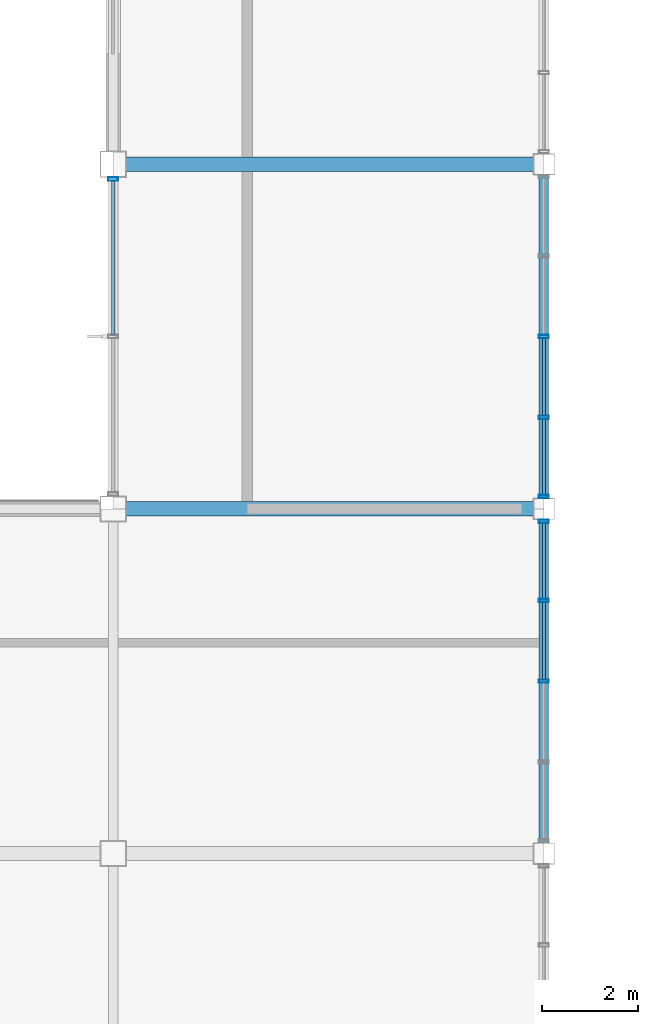
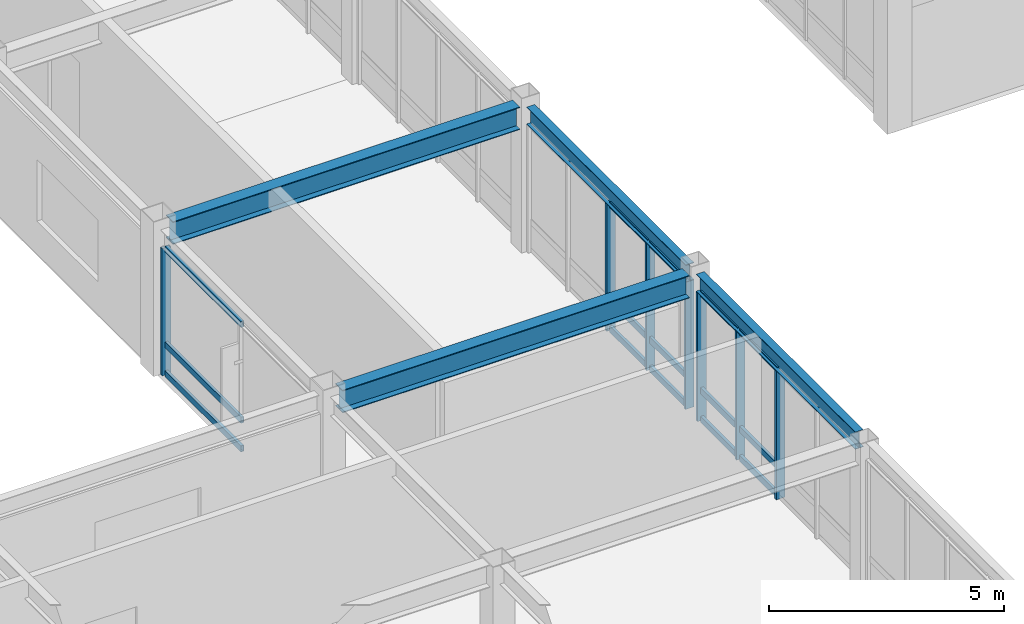
# One storey, part 46 of 113: 22 members, 4 beams, 3 elements without a shape of their own.
"""IFC4 building model written with IfcOpenShell, lengths in metres."""

from ifc_helpers import new_model, si_unit, direction, frame, origin, origin_2d, place, context, subcontext, project, spatial, hollow_rectangle, i_section, extrude, material, material_profile, profile_set, type_object, element, aggregate, save


model = new_model("IFC4")

# Units and contexts
model_context = context("Model", 3, precision=1e-05, world=origin(), true_north=direction((0.0, 1.0)))
body_context = subcontext(model_context, "Body", "Model", "MODEL_VIEW")
ifc_project = project(units=[si_unit("LENGTHUNIT", "METRE"), si_unit("AREAUNIT", "SQUARE_METRE"), si_unit("VOLUMEUNIT", "CUBIC_METRE"), si_unit("PLANEANGLEUNIT", "RADIAN"), si_unit("MASSUNIT", "GRAM", prefix="KILO")], contexts=[model_context])

# Site, building, storey
site_placement = place(None, origin())
site = spatial("IfcSite", under=ifc_project, at=site_placement, CompositionType="ELEMENT")
building_placement = place(site_placement, origin())
building = spatial("IfcBuilding", under=site, at=building_placement, Name="Kazanami Central Library", CompositionType="ELEMENT")
storey_placement = place(building_placement, frame((0.0, 0.0, 8.800048828125)))
storey = spatial("IfcBuildingStorey", under=building, at=storey_placement, Name="L03", CompositionType="ELEMENT", Elevation=8.800048828125)

# Beams
ifc_material_1 = material(Name="Steel SN490B (325 MPa)", Category="steel")
ifc_material_profile_1 = material_profile(ifc_material_1, i_section(OverallWidth=0.300048828125, OverallDepth=0.587890625, WebThickness=0.011962890625, FlangeThickness=0.02001953125, at=origin_2d()), Name="H-588x300x12x20")
ifc_profile_set_1 = profile_set([ifc_material_profile_1], Name="Steel SN490B (325 MPa)")
beam_type_1 = type_object("IfcBeamType", Name="BM-G-X2", PredefinedType="BEAM", material=ifc_profile_set_1)
for number, where, z_axis, x_axis, name in (
    (1, (99.27294921875, 36.0, 3.450927734375), (1.0, 0.0, 0.0), (0.0, 1.0, 0.0), "Girder G-X2 L03 F/12-13"),
    (2, (99.27294921875, 43.199951171875, 3.450927734375), (1.0, 0.0, 0.0), (0.0, 1.0, 0.0), "Girder G-X2 L03 G/12-13"),
):
    element("IfcBeam", number, at=place(storey_placement, frame(where, z_axis=z_axis, x_axis=x_axis)), inside=storey, type_object=beam_type_1, Name=name, PredefinedType="BEAM", context=body_context, shape_type="SweptSolid", body=[
        extrude(i_section(OverallWidth=0.300048828125, OverallDepth=0.587890625, WebThickness=0.011962890625, FlangeThickness=0.02001953125, at=origin_2d()), origin(), (0.0, 0.0, 1.0), 8.504150390625),
    ])
ifc_material_profile_2 = material_profile(ifc_material_1, i_section(OverallWidth=0.199951171875, OverallDepth=0.449951171875, WebThickness=0.009033203125, FlangeThickness=0.013916015625, at=origin_2d()), Name="H-450x200x9x14")
ifc_profile_set_2 = profile_set([ifc_material_profile_2], Name="Steel SN490B (325 MPa)")
beam_type_2 = type_object("IfcBeamType", Name="BM-SP-2", PredefinedType="SPANDREL", material=ifc_profile_set_2)
for number, where, z_axis, x_axis, name in (
    (3, (108.0, 29.02294921875, 3.554931640625), (0.0, 1.0, 0.0), (-1.0, 0.0, 0.0), "Girder SP-2 L03 13/E-F"),
    (4, (108.0, 36.222900390625, 3.52001953125), (0.0, 1.0, 0.0), (-1.0, 0.0, 0.0), "Girder SP-2 L03 13/F-G"),
):
    element("IfcBeam", number, at=place(storey_placement, frame(where, z_axis=z_axis, x_axis=x_axis)), inside=storey, type_object=beam_type_2, Name=name, PredefinedType="SPANDREL", context=body_context, shape_type="SweptSolid", body=[
        extrude(i_section(OverallWidth=0.199951171875, OverallDepth=0.449951171875, WebThickness=0.009033203125, FlangeThickness=0.013916015625, at=origin_2d()), origin(), (0.0, 0.0, 1.0), 6.754150390625),
    ])

# Curtain wall, member
ifc_material_2 = material(Name="Acid-Etched Low-E Laminated Glass", Category="glass")
curtain_wall_type_1 = type_object("IfcCurtainWallType", Name="CW-6650x3295-M275", PredefinedType="USERDEFINED", material=ifc_material_2)
curtain_wall_1_placement = place(storey_placement, origin())
curtain_wall_1 = element("IfcCurtainWall", 5, at=curtain_wall_1_placement, inside=storey, type_object=curtain_wall_type_1, Name="Unitised Curtain Wall CW-35 L03 W-12-05", ObjectType="UNITISED CURTAIN WALL", PredefinedType="USERDEFINED")
ifc_material_3 = material(Name="Anodised Aluminium A6063-T5", Category="aluminium")
ifc_material_profile_3 = material_profile(ifc_material_3, hollow_rectangle(XDim=0.070068359375, YDim=0.2099609375, WallThickness=0.0048828125, at=origin_2d()), Name="ALU-MULL-70x210x5")
ifc_profile_set_3 = profile_set([ifc_material_profile_3], Name="Anodised Aluminium A6063-T5")
member_type_1 = type_object("IfcMemberType", Name="MEM-CW-M1", PredefinedType="MULLION", material=ifc_profile_set_3)
member_1_placement = place(storey_placement, frame((99.0, 42.889892578125, 0.0), z_axis=(0.0, 0.0, 1.0), x_axis=(0.0, 1.0, 0.0)))
member_1 = element("IfcMember", 6, at=member_1_placement, type_object=member_type_1, Name="CW-35 mullion 3", PredefinedType="MULLION", context=body_context, shape_type="SweptSolid", body=[
    extrude(hollow_rectangle(XDim=0.070068359375, YDim=0.2099609375, WallThickness=0.0048828125, at=origin_2d()), origin(), (0.0, 0.0, 1.0), 3.294921875),
])

# Curtain wall, members
curtain_wall_type_2 = type_object("IfcCurtainWallType", Name="CW-6750x3330-M180", PredefinedType="USERDEFINED", material=ifc_material_2)
curtain_wall_2_placement = place(storey_placement, origin())
curtain_wall_2 = element("IfcCurtainWall", 7, at=curtain_wall_2_placement, inside=storey, type_object=curtain_wall_type_2, Name="Covered Link Bridge Curtain Wall CW-34 L03 E-13-04", ObjectType="UNITISED CURTAIN WALL", PredefinedType="USERDEFINED")
member_2_placement = place(storey_placement, frame((108.0, 35.739990234375, 0.0), z_axis=(0.0, 0.0, 1.0), x_axis=(0.0, -1.0, 0.0)))
member_2 = element("IfcMember", 8, at=member_2_placement, type_object=member_type_1, Name="CW-34 mullion 1", PredefinedType="MULLION", context=body_context, shape_type="SweptSolid", body=[
    extrude(hollow_rectangle(XDim=0.070068359375, YDim=0.2099609375, WallThickness=0.0048828125, at=origin_2d()), origin(), (0.0, 0.0, 1.0), 3.329833984375),
])
member_3_placement = place(storey_placement, frame((108.0, 34.08740234375, 0.0), z_axis=(0.0, 0.0, 1.0), x_axis=(0.0, -1.0, 0.0)))
member_3 = element("IfcMember", 9, at=member_3_placement, type_object=member_type_1, Name="CW-34 mullion 2", PredefinedType="MULLION", context=body_context, shape_type="SweptSolid", body=[
    extrude(hollow_rectangle(XDim=0.070068359375, YDim=0.2099609375, WallThickness=0.0048828125, at=origin_2d()), origin(), (0.0, 0.0, 1.0), 3.329833984375),
])
member_4_placement = place(storey_placement, frame((108.0, 32.39990234375, 0.0), z_axis=(0.0, 0.0, 1.0), x_axis=(0.0, -1.0, 0.0)))
member_4 = element("IfcMember", 10, at=member_4_placement, type_object=member_type_1, Name="CW-34 mullion 3", PredefinedType="MULLION", context=body_context, shape_type="SweptSolid", body=[
    extrude(hollow_rectangle(XDim=0.070068359375, YDim=0.2099609375, WallThickness=0.0048828125, at=origin_2d()), origin(), (0.0, 0.0, 1.0), 3.329833984375),
])

curtain_wall_type_3 = type_object("IfcCurtainWallType", Name="CW-6750x3295-M180", PredefinedType="USERDEFINED", material=ifc_material_2)
curtain_wall_3_placement = place(storey_placement, origin())
curtain_wall_3 = element("IfcCurtainWall", 11, at=curtain_wall_3_placement, inside=storey, type_object=curtain_wall_type_3, Name="Covered Link Bridge Curtain Wall CW-32 L03 E-13-05", ObjectType="UNITISED CURTAIN WALL", PredefinedType="USERDEFINED")
member_5_placement = place(storey_placement, frame((108.0, 39.60009765625, 0.0), z_axis=(0.0, 0.0, 1.0), x_axis=(0.0, -1.0, 0.0)))
member_5 = element("IfcMember", 12, at=member_5_placement, type_object=member_type_1, Name="CW-32 mullion 3", PredefinedType="MULLION", context=body_context, shape_type="SweptSolid", body=[
    extrude(hollow_rectangle(XDim=0.070068359375, YDim=0.2099609375, WallThickness=0.0048828125, at=origin_2d()), origin(), (0.0, 0.0, 1.0), 3.294921875),
])
member_6_placement = place(storey_placement, frame((108.0, 37.91259765625, 0.0), z_axis=(0.0, 0.0, 1.0), x_axis=(0.0, -1.0, 0.0)))
member_6 = element("IfcMember", 13, at=member_6_placement, type_object=member_type_1, Name="CW-32 mullion 4", PredefinedType="MULLION", context=body_context, shape_type="SweptSolid", body=[
    extrude(hollow_rectangle(XDim=0.070068359375, YDim=0.2099609375, WallThickness=0.0048828125, at=origin_2d()), origin(), (0.0, 0.0, 1.0), 3.294921875),
])
member_7_placement = place(storey_placement, frame((108.0, 36.260009765625, 0.0), z_axis=(0.0, 0.0, 1.0), x_axis=(0.0, -1.0, 0.0)))
member_7 = element("IfcMember", 14, at=member_7_placement, type_object=member_type_1, Name="CW-32 mullion 5", PredefinedType="MULLION", context=body_context, shape_type="SweptSolid", body=[
    extrude(hollow_rectangle(XDim=0.070068359375, YDim=0.2099609375, WallThickness=0.0048828125, at=origin_2d()), origin(), (0.0, 0.0, 1.0), 3.294921875),
])

# Member
ifc_material_profile_4 = material_profile(ifc_material_3, hollow_rectangle(XDim=0.070068359375, YDim=0.159912109375, WallThickness=0.00390625, at=origin_2d()), Name="ALU-TRAN-70x160x4")
ifc_profile_set_4 = profile_set([ifc_material_profile_4], Name="Anodised Aluminium A6063-T5")
member_type_2 = type_object("IfcMemberType", Name="MEM-CW-T1", PredefinedType="USERDEFINED", material=ifc_profile_set_4)
member_8_placement = place(storey_placement, frame((99.0, 39.635009765625, 0.034912109375), z_axis=(0.0, 1.0, 0.0), x_axis=(-1.0, 0.0, 0.0)))
member_8 = element("IfcMember", 15, at=member_8_placement, type_object=member_type_2, Name="CW-35 transom 2.1", ObjectType="TRANSOM", PredefinedType="USERDEFINED", context=body_context, shape_type="SweptSolid", body=[
    extrude(hollow_rectangle(XDim=0.070068359375, YDim=0.159912109375, WallThickness=0.00390625, at=origin_2d()), origin(), (0.0, 0.0, 1.0), 3.219970703125),
])

member_9_placement = place(storey_placement, frame((99.0, 39.635009765625, 0.780029296875), z_axis=(0.0, 1.0, 0.0), x_axis=(-1.0, 0.0, 0.0)))
member_9 = element("IfcMember", 16, at=member_9_placement, type_object=member_type_2, Name="CW-35 transom 2.2", ObjectType="TRANSOM", PredefinedType="USERDEFINED", context=body_context, shape_type="SweptSolid", body=[
    extrude(hollow_rectangle(XDim=0.070068359375, YDim=0.159912109375, WallThickness=0.00390625, at=origin_2d()), origin(), (0.0, 0.0, 1.0), 3.219970703125),
])

member_10_placement = place(storey_placement, frame((99.0, 39.635009765625, 3.260009765625), z_axis=(0.0, 1.0, 0.0), x_axis=(-1.0, 0.0, 0.0)))
member_10 = element("IfcMember", 17, at=member_10_placement, type_object=member_type_2, Name="CW-35 transom 2.3", ObjectType="TRANSOM", PredefinedType="USERDEFINED", context=body_context, shape_type="SweptSolid", body=[
    extrude(hollow_rectangle(XDim=0.070068359375, YDim=0.159912109375, WallThickness=0.00390625, at=origin_2d()), origin(), (0.0, 0.0, 1.0), 3.219970703125),
])

aggregate(curtain_wall_1, [member_1, member_8, member_9, member_10])

member_11_placement = place(storey_placement, frame((108.0, 35.705078125, 0.034912109375), z_axis=(0.0, -1.0, 0.0), x_axis=(1.0, 0.0, 0.0)))
member_11 = element("IfcMember", 18, at=member_11_placement, type_object=member_type_2, Name="CW-34 transom 1.1", ObjectType="TRANSOM", PredefinedType="USERDEFINED", context=body_context, shape_type="SweptSolid", body=[
    extrude(hollow_rectangle(XDim=0.070068359375, YDim=0.159912109375, WallThickness=0.00390625, at=origin_2d()), origin(), (0.0, 0.0, 1.0), 1.58251953125),
])

member_12_placement = place(storey_placement, frame((108.0, 35.705078125, 0.780029296875), z_axis=(0.0, -1.0, 0.0), x_axis=(1.0, 0.0, 0.0)))
member_12 = element("IfcMember", 19, at=member_12_placement, type_object=member_type_2, Name="CW-34 transom 1.2", ObjectType="TRANSOM", PredefinedType="USERDEFINED", context=body_context, shape_type="SweptSolid", body=[
    extrude(hollow_rectangle(XDim=0.070068359375, YDim=0.159912109375, WallThickness=0.00390625, at=origin_2d()), origin(), (0.0, 0.0, 1.0), 1.58251953125),
])

member_13_placement = place(storey_placement, frame((108.0, 35.705078125, 3.294921875), z_axis=(0.0, -1.0, 0.0), x_axis=(1.0, 0.0, 0.0)))
member_13 = element("IfcMember", 20, at=member_13_placement, type_object=member_type_2, Name="CW-34 transom 1.3", ObjectType="TRANSOM", PredefinedType="USERDEFINED", context=body_context, shape_type="SweptSolid", body=[
    extrude(hollow_rectangle(XDim=0.070068359375, YDim=0.159912109375, WallThickness=0.00390625, at=origin_2d()), origin(), (0.0, 0.0, 1.0), 1.58251953125),
])

member_14_placement = place(storey_placement, frame((108.0, 34.052490234375, 0.034912109375), z_axis=(0.0, -1.0, 0.0), x_axis=(1.0, 0.0, 0.0)))
member_14 = element("IfcMember", 21, at=member_14_placement, type_object=member_type_2, Name="CW-34 transom 2.1", ObjectType="TRANSOM", PredefinedType="USERDEFINED", context=body_context, shape_type="SweptSolid", body=[
    extrude(hollow_rectangle(XDim=0.070068359375, YDim=0.159912109375, WallThickness=0.00390625, at=origin_2d()), origin(), (0.0, 0.0, 1.0), 1.617431640625),
])

member_15_placement = place(storey_placement, frame((108.0, 34.052490234375, 0.780029296875), z_axis=(0.0, -1.0, 0.0), x_axis=(1.0, 0.0, 0.0)))
member_15 = element("IfcMember", 22, at=member_15_placement, type_object=member_type_2, Name="CW-34 transom 2.2", ObjectType="TRANSOM", PredefinedType="USERDEFINED", context=body_context, shape_type="SweptSolid", body=[
    extrude(hollow_rectangle(XDim=0.070068359375, YDim=0.159912109375, WallThickness=0.00390625, at=origin_2d()), origin(), (0.0, 0.0, 1.0), 1.617431640625),
])

member_16_placement = place(storey_placement, frame((108.0, 34.052490234375, 3.294921875), z_axis=(0.0, -1.0, 0.0), x_axis=(1.0, 0.0, 0.0)))
member_16 = element("IfcMember", 23, at=member_16_placement, type_object=member_type_2, Name="CW-34 transom 2.3", ObjectType="TRANSOM", PredefinedType="USERDEFINED", context=body_context, shape_type="SweptSolid", body=[
    extrude(hollow_rectangle(XDim=0.070068359375, YDim=0.159912109375, WallThickness=0.00390625, at=origin_2d()), origin(), (0.0, 0.0, 1.0), 1.617431640625),
])

aggregate(curtain_wall_2, [member_2, member_3, member_4, member_11, member_12, member_13, member_14, member_15, member_16])

member_17_placement = place(storey_placement, frame((108.0, 39.56494140625, 0.034912109375), z_axis=(0.0, -1.0, 0.0), x_axis=(1.0, 0.0, 0.0)))
member_17 = element("IfcMember", 24, at=member_17_placement, type_object=member_type_2, Name="CW-32 transom 3.1", ObjectType="TRANSOM", PredefinedType="USERDEFINED", context=body_context, shape_type="SweptSolid", body=[
    extrude(hollow_rectangle(XDim=0.070068359375, YDim=0.159912109375, WallThickness=0.00390625, at=origin_2d()), origin(), (0.0, 0.0, 1.0), 1.617431640625),
])

member_18_placement = place(storey_placement, frame((108.0, 39.56494140625, 0.780029296875), z_axis=(0.0, -1.0, 0.0), x_axis=(1.0, 0.0, 0.0)))
member_18 = element("IfcMember", 25, at=member_18_placement, type_object=member_type_2, Name="CW-32 transom 3.2", ObjectType="TRANSOM", PredefinedType="USERDEFINED", context=body_context, shape_type="SweptSolid", body=[
    extrude(hollow_rectangle(XDim=0.070068359375, YDim=0.159912109375, WallThickness=0.00390625, at=origin_2d()), origin(), (0.0, 0.0, 1.0), 1.617431640625),
])

member_19_placement = place(storey_placement, frame((108.0, 39.56494140625, 3.260009765625), z_axis=(0.0, -1.0, 0.0), x_axis=(1.0, 0.0, 0.0)))
member_19 = element("IfcMember", 26, at=member_19_placement, type_object=member_type_2, Name="CW-32 transom 3.3", ObjectType="TRANSOM", PredefinedType="USERDEFINED", context=body_context, shape_type="SweptSolid", body=[
    extrude(hollow_rectangle(XDim=0.070068359375, YDim=0.159912109375, WallThickness=0.00390625, at=origin_2d()), origin(), (0.0, 0.0, 1.0), 1.617431640625),
])

member_20_placement = place(storey_placement, frame((108.0, 37.87744140625, 0.034912109375), z_axis=(0.0, -1.0, 0.0), x_axis=(1.0, 0.0, 0.0)))
member_20 = element("IfcMember", 27, at=member_20_placement, type_object=member_type_2, Name="CW-32 transom 4.1", ObjectType="TRANSOM", PredefinedType="USERDEFINED", context=body_context, shape_type="SweptSolid", body=[
    extrude(hollow_rectangle(XDim=0.070068359375, YDim=0.159912109375, WallThickness=0.00390625, at=origin_2d()), origin(), (0.0, 0.0, 1.0), 1.58251953125),
])

member_21_placement = place(storey_placement, frame((108.0, 37.87744140625, 0.780029296875), z_axis=(0.0, -1.0, 0.0), x_axis=(1.0, 0.0, 0.0)))
member_21 = element("IfcMember", 28, at=member_21_placement, type_object=member_type_2, Name="CW-32 transom 4.2", ObjectType="TRANSOM", PredefinedType="USERDEFINED", context=body_context, shape_type="SweptSolid", body=[
    extrude(hollow_rectangle(XDim=0.070068359375, YDim=0.159912109375, WallThickness=0.00390625, at=origin_2d()), origin(), (0.0, 0.0, 1.0), 1.58251953125),
])

member_22_placement = place(storey_placement, frame((108.0, 37.87744140625, 3.260009765625), z_axis=(0.0, -1.0, 0.0), x_axis=(1.0, 0.0, 0.0)))
member_22 = element("IfcMember", 29, at=member_22_placement, type_object=member_type_2, Name="CW-32 transom 4.3", ObjectType="TRANSOM", PredefinedType="USERDEFINED", context=body_context, shape_type="SweptSolid", body=[
    extrude(hollow_rectangle(XDim=0.070068359375, YDim=0.159912109375, WallThickness=0.00390625, at=origin_2d()), origin(), (0.0, 0.0, 1.0), 1.58251953125),
])

aggregate(curtain_wall_3, [member_5, member_6, member_7, member_17, member_18, member_19, member_20, member_21, member_22])

save(model, "model.ifc")
